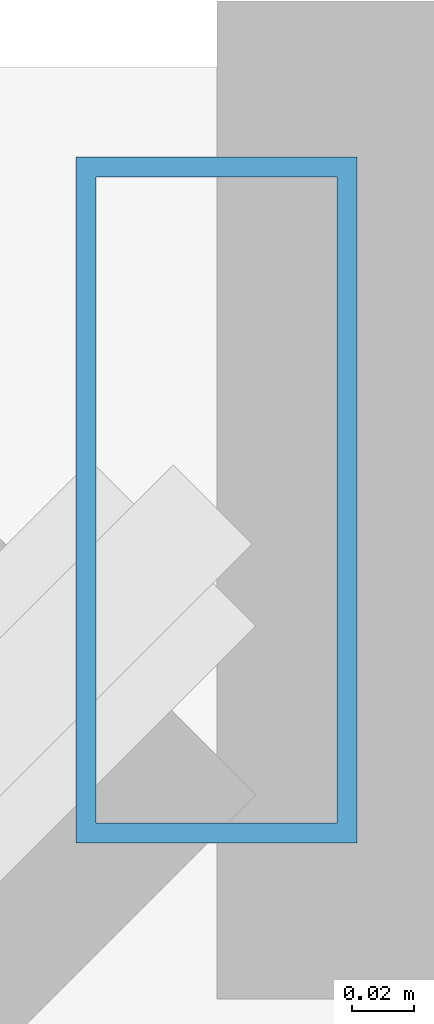
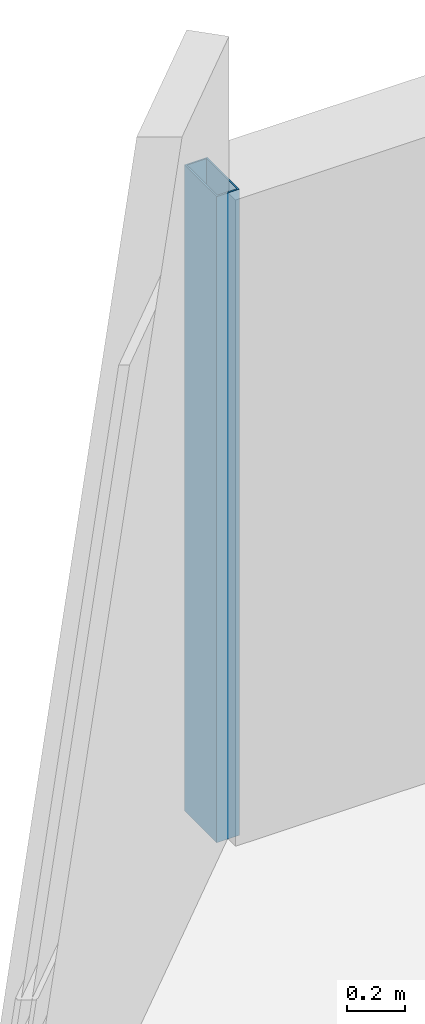
# One storey, part 9 of 33: 1 member, 1 element without a shape of its own.
"""IFC4 building model written with IfcOpenShell, lengths in metres."""

import ifcopenshell
import ifcopenshell.guid

model = None  # the IFC model being written
_history = None  # IfcOwnerHistory: only IFC2X3 demands one
_inside = {}  # id of a spatial element -> (the spatial element, [elements in it])
_under = {}  # id of a project, library or spatial element -> (it, [spatial elements below it])
_declared = {}  # id of a project -> (the project, [libraries it declares])
_typed = {}  # id of a type object -> (the type object, [elements of that type])
_made_of = {}  # id of a material, layer set ... -> (it, [elements and type objects made of it])


def new_model(schema):
    """Start an empty IFC model of exactly this schema.

    Asked for "IFC4X3", IfcOpenShell would pick the latest addendum, in which some entities
    have other attributes; the version numbers below select the first issue.
    IFC2X3 requires an IfcOwnerHistory on every rooted entity: one is made here for all.
    """
    global model, _history
    if schema == "IFC4X3":
        model = ifcopenshell.file(schema_version=(4, 3, 0, 0))
    else:
        model = ifcopenshell.file(schema=schema)
    _inside.clear()
    _under.clear()
    _declared.clear()
    _typed.clear()
    _made_of.clear()
    _history = None
    if model.schema == "IFC2X3":
        org = make("IfcOrganization", Name="unknown")
        user = make(
            "IfcPersonAndOrganization",
            ThePerson=make("IfcPerson", FamilyName="unknown"),
            TheOrganization=org,
        )
        app = make(
            "IfcApplication",
            ApplicationDeveloper=org,
            Version="unknown",
            ApplicationFullName="unknown",
            ApplicationIdentifier="unknown",
        )
        _history = make(
            "IfcOwnerHistory",
            OwningUser=user,
            OwningApplication=app,
            ChangeAction="ADDED",
            CreationDate=0,
        )
    return model


def make(cls, **values):
    """One entity of the class cls with the attributes given. An attribute that is None is left unset."""
    return model.create_entity(
        cls, **{name: value for name, value in values.items() if value is not None}
    )


def rooted(cls, **values):
    """An entity with a GlobalId (a new one), such as an element, a storey or a relation."""
    return make(cls, GlobalId=ifcopenshell.guid.new(), OwnerHistory=_history, **values)


def si_unit(unit_type, name, prefix=None):
    """IfcSIUnit, for example si_unit("LENGTHUNIT", "METRE", prefix="MILLI")."""
    return make("IfcSIUnit", UnitType=unit_type, Prefix=prefix, Name=name)


def assignment(units):
    """IfcUnitAssignment: the units of a project."""
    return None if units is None else make("IfcUnitAssignment", Units=units)


def point(xyz):
    """IfcCartesianPoint."""
    return None if xyz is None else make("IfcCartesianPoint", Coordinates=xyz)


def direction(xyz):
    """IfcDirection."""
    return None if xyz is None else make("IfcDirection", DirectionRatios=xyz)


def frame(location, z_axis=None, x_axis=None):
    """IfcAxis2Placement3D, a coordinate frame: its origin and axes. An axis left out is left unset."""
    return make(
        "IfcAxis2Placement3D",
        Location=point(location),
        Axis=direction(z_axis),
        RefDirection=direction(x_axis),
    )


def frame_2d(location, x_axis=None):
    """IfcAxis2Placement2D, a coordinate frame in the plane: its origin and x axis."""
    return make(
        "IfcAxis2Placement2D", Location=point(location), RefDirection=direction(x_axis)
    )


def origin():
    """The frame at (0, 0, 0) with its axes left unset."""
    return frame((0.0, 0.0, 0.0))


def origin_2d():
    """The frame at (0, 0) in the plane with its x axis left unset."""
    return frame_2d((0.0, 0.0))


def place(relative_to, where):
    """IfcLocalPlacement: puts the frame where relative to a parent placement (None: the world)."""
    return make(
        "IfcLocalPlacement", PlacementRelTo=relative_to, RelativePlacement=where
    )


def context(
    kind, dimensions, precision=None, world=None, true_north=None, identifier=None
):
    """IfcGeometricRepresentationContext, for example the 3D "Model" context."""
    return make(
        "IfcGeometricRepresentationContext",
        ContextIdentifier=identifier,
        ContextType=kind,
        CoordinateSpaceDimension=dimensions,
        Precision=precision,
        WorldCoordinateSystem=world,
        TrueNorth=true_north,
    )


def subcontext(parent, identifier, kind, view, scale=None):
    """IfcGeometricRepresentationSubContext, for example "Body" below "Model"."""
    return make(
        "IfcGeometricRepresentationSubContext",
        ContextIdentifier=identifier,
        ContextType=kind,
        ParentContext=parent,
        TargetScale=scale,
        TargetView=view,
    )


def project(units=None, contexts=None):
    """IfcProject with its units and contexts."""
    return rooted(
        "IfcProject",
        Name="project",
        RepresentationContexts=contexts,
        UnitsInContext=assignment(units),
    )


def spatial(cls, under=None, at=None, **own):
    """A site, building, storey or space (cls), placed at a placement, below another one or the project."""
    s = rooted(cls, ObjectPlacement=at, **own)
    if under is not None:
        _under.setdefault(under.id(), (under, []))[1].append(s)
    return s


def profile(cls, at=None, kind="AREA", **sizes):
    """A parametric profile (cls). Its sizes go by their IFC names, for example OverallWidth=200.0."""
    return make(cls, ProfileType=kind, Position=at, **sizes)


def hollow_rectangle(**sizes):
    """IfcRectangleHollowProfileDef."""
    return profile("IfcRectangleHollowProfileDef", **sizes)


def extrude(swept, where, along, depth):
    """IfcExtrudedAreaSolid: the profile swept, set in the frame where, extruded along a direction by depth."""
    return make(
        "IfcExtrudedAreaSolid",
        SweptArea=swept,
        Position=where,
        ExtrudedDirection=direction(along),
        Depth=depth,
    )


def shape(context_of_items, identifier, shape_type, items):
    """IfcShapeRepresentation: the items that make up one representation, for example the "Body"."""
    return make(
        "IfcShapeRepresentation",
        ContextOfItems=context_of_items,
        RepresentationIdentifier=identifier,
        RepresentationType=shape_type,
        Items=items,
    )


def material(Name=None, Category=None):
    """IfcMaterial."""
    return make("IfcMaterial", Name=Name, Category=Category)


def material_profile(
    of_material, cross_section, Name=None, Category=None, Priority=None
):
    """IfcMaterialProfile: a cross section and its material."""
    return make(
        "IfcMaterialProfile",
        Name=Name,
        Material=of_material,
        Profile=cross_section,
        Priority=Priority,
        Category=Category,
    )


def profile_set(profiles, Name=None, composite=None):
    """IfcMaterialProfileSet."""
    return make(
        "IfcMaterialProfileSet",
        Name=Name,
        MaterialProfiles=profiles,
        CompositeProfile=composite,
    )


def made_of(thing, what):
    """Note that an element or type object is made of a material, layer set ...; save() writes the relation."""
    if what is not None:
        _made_of.setdefault(what.id(), (what, []))[1].append(thing)
    return thing


def type_object(cls, material=None, **own):
    """A type object (cls), such as IfcWallType, which elements share."""
    return made_of(rooted(cls, **own), material)


def element(
    cls,
    number,
    at=None,
    inside=None,
    cuts=None,
    type_object=None,
    material=None,
    context=None,
    identifier="Body",
    shape_type=None,
    held_by="IfcProductDefinitionShape",
    body=None,
    shapes=None,
    **own,
):
    """One element of the class cls, such as IfcWall. Its Tag is "e" and its number.

    at: its placement. inside: the storey or other place that contains it. cuts: it is an
    opening in that element (IfcRelVoidsElement). A single representation is given by context,
    identifier, shape_type and body (its items); several are given by shapes. held_by: the class
    of the entity that holds the representations. save() writes the other relations.
    """
    e = rooted(cls, Tag="e%d" % number, ObjectPlacement=at, **own)
    if body is not None:
        shapes = [shape(context, identifier, shape_type, body)]
    if shapes is not None:
        e.Representation = make(held_by, Representations=shapes)
    if inside is not None:
        _inside.setdefault(inside.id(), (inside, []))[1].append(e)
    if cuts is not None:
        rooted(
            "IfcRelVoidsElement", RelatingBuildingElement=cuts, RelatedOpeningElement=e
        )
    if type_object is not None:
        _typed.setdefault(type_object.id(), (type_object, []))[1].append(e)
    return made_of(e, material)


def aggregate(whole, parts):
    """IfcRelAggregates: a whole, such as a stair, and the parts it consists of."""
    return rooted("IfcRelAggregates", RelatingObject=whole, RelatedObjects=parts)


def save(model, path):
    """Write the relations noted so far, then the file.

    IfcRelAggregates (storeys below a building ...), IfcRelContainedInSpatialStructure (elements
    in a storey), IfcRelDefinesByType, IfcRelAssociatesMaterial and IfcRelDeclares: one each for
    every whole, place, type object, material and project.
    """
    for whole, parts in _under.values():
        aggregate(whole, parts)
    for where, things in _inside.values():
        rooted(
            "IfcRelContainedInSpatialStructure",
            RelatedElements=things,
            RelatingStructure=where,
        )
    for kind, things in _typed.values():
        rooted("IfcRelDefinesByType", RelatedObjects=things, RelatingType=kind)
    for what, things in _made_of.values():
        rooted("IfcRelAssociatesMaterial", RelatedObjects=things, RelatingMaterial=what)
    for by, libraries in _declared.values():
        rooted("IfcRelDeclares", RelatingContext=by, RelatedDefinitions=libraries)
    model.write(path)


model = new_model("IFC4")

# Units and contexts
model_context = context("Model", 3, precision=1e-05, world=origin(), true_north=direction((0.0, 1.0)))
body_context = subcontext(model_context, "Body", "Model", "MODEL_VIEW")
ifc_project = project(units=[si_unit("LENGTHUNIT", "METRE"), si_unit("AREAUNIT", "SQUARE_METRE"), si_unit("VOLUMEUNIT", "CUBIC_METRE"), si_unit("PLANEANGLEUNIT", "RADIAN"), si_unit("MASSUNIT", "GRAM", prefix="KILO")], contexts=[model_context])

# Site, building, storey
site_placement = place(None, origin())
site = spatial("IfcSite", under=ifc_project, at=site_placement, CompositionType="ELEMENT")
building_placement = place(site_placement, origin())
building = spatial("IfcBuilding", under=site, at=building_placement, Name="Thornwick Lancets Civic Towers", CompositionType="ELEMENT")
storey_placement = place(building_placement, frame((0.0, 0.0, 105.300048828125)))
storey = spatial("IfcBuildingStorey", under=building, at=storey_placement, Name="L27", CompositionType="ELEMENT", Elevation=105.300048828125)

# Curtain wall, member
ifc_material_1 = material(Name="Low-zone chamfered-corner unitised glass curtain wall", Category="glass")
curtain_wall_type = type_object("IfcCurtainWallType", Name="CW_SYS_03", PredefinedType="NOTDEFINED", material=ifc_material_1)
curtain_wall_placement = place(storey_placement, origin())
curtain_wall = element("IfcCurtainWall", 1, at=curtain_wall_placement, inside=storey, type_object=curtain_wall_type, Name="L27 Curtain Wall CW-L27-A-E5", PredefinedType="NOTDEFINED")
ifc_material_2 = material(Name="Thermally broken bronze aluminium S355", Category="steel")
ifc_material_profile = material_profile(ifc_material_2, hollow_rectangle(XDim=0.090087890625, YDim=0.219970703125, WallThickness=0.00634765625, at=origin_2d()), Name="RHS 220x90x6.3")
ifc_profile_set = profile_set([ifc_material_profile], Name="Thermally broken bronze aluminium S355")
member_type = type_object("IfcMemberType", Name="CW_MUL_220", PredefinedType="MULLION", material=ifc_profile_set)
member_placement = place(storey_placement, frame((5.096923828125, 50.96142578125, 0.0), z_axis=(0.0, 0.0, 1.0), x_axis=(1.0, 0.0, 0.0)))
member = element("IfcMember", 2, at=member_placement, type_object=member_type, Name="CW-L27-A-E5 Mullion 0", PredefinedType="MULLION", context=body_context, shape_type="SweptSolid", body=[
    extrude(hollow_rectangle(XDim=0.090087890625, YDim=0.219970703125, WallThickness=0.00634765625, at=origin_2d()), origin(), (0.0, 0.0, 1.0), 2.699951171875),
])
aggregate(curtain_wall, [member])

save(model, "model.ifc")
